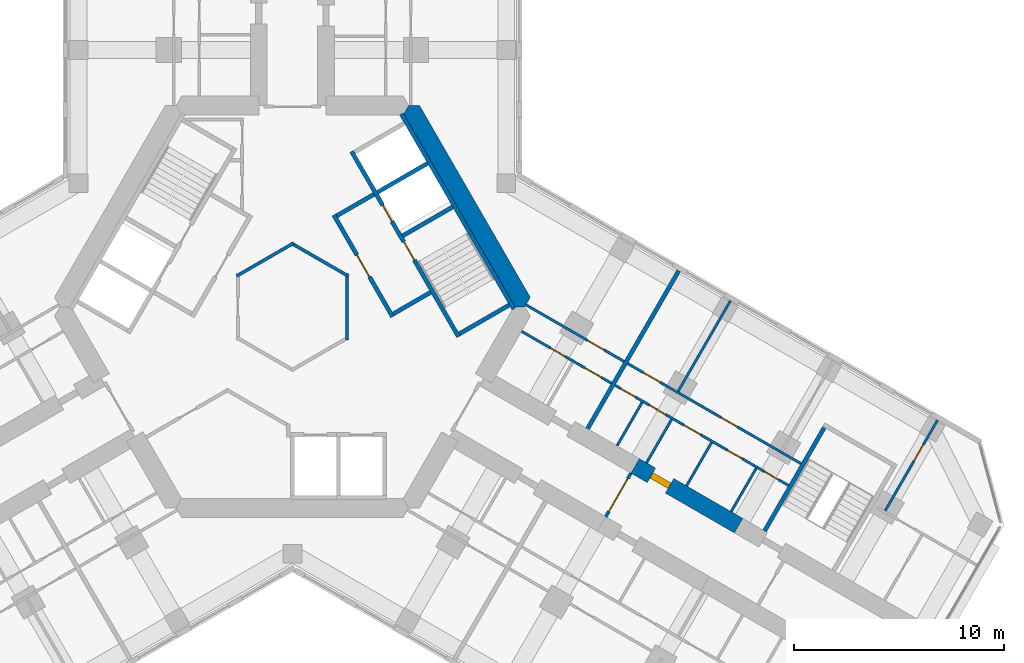
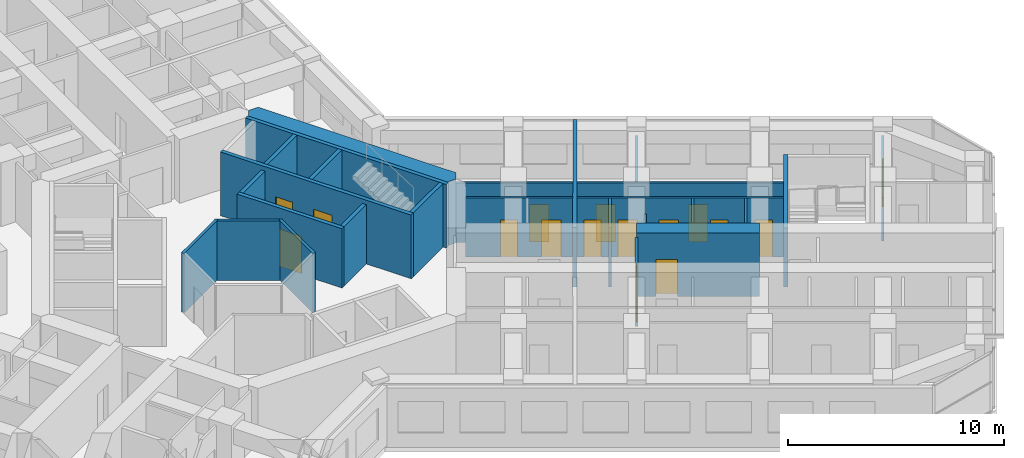
# One storey, part 15 of 19: 26 walls, 16 doors, 16 openings.
"""IFC4 building model written with IfcOpenShell, lengths in metres."""

from ifc_helpers import new_model, si_unit, direction, frame, frame_2d, origin, place, context, subcontext, project, spatial, polyline, rectangle, outline, extrude, material, layer, layer_set, type_object, element, fill, save


model = new_model("IFC4")

# Units and contexts
model_context = context("Model", 3, precision=1e-05, world=origin(), true_north=direction((0.0, 1.0)))
body_context = subcontext(model_context, "Body", "Model", "MODEL_VIEW")
ifc_project = project(units=[si_unit("LENGTHUNIT", "METRE"), si_unit("AREAUNIT", "SQUARE_METRE"), si_unit("VOLUMEUNIT", "CUBIC_METRE"), si_unit("PLANEANGLEUNIT", "RADIAN"), si_unit("MASSUNIT", "GRAM", prefix="KILO")], contexts=[model_context])

# Site, building, storey
site_placement = place(None, origin())
site = spatial("IfcSite", under=ifc_project, at=site_placement, CompositionType="ELEMENT")
building_placement = place(site_placement, origin())
building = spatial("IfcBuilding", under=site, at=building_placement, Name="Kosmar Iwan School Tower", CompositionType="ELEMENT")
storey_placement = place(building_placement, frame((0.0, 0.0, 149.0)))
storey = spatial("IfcBuildingStorey", under=building, at=storey_placement, Name="L37", CompositionType="ELEMENT", Elevation=149.0)

# Walls
ifc_material_1 = material(Name="Gypsum board on steel studs, fire-rated", Category="steel")
ifc_layer_1 = layer(ifc_material_1, 0.14990234375)
ifc_layer_set_1 = layer_set([ifc_layer_1], Name="Core room partition 150")
wall_type_1 = type_object("IfcWallType", Name="Core room partition 150", PredefinedType="PARTITIONING", material=ifc_layer_set_1)
for number, where, z_axis, x_axis, name in (
    (1, (-2.6650390625, 1.463623046875, 0.0), (0.0, 0.0, 1.0), (0.866023080072, 0.500004024767, 0.0), "Core room partition L37-CW11"),
    (2, (-0.06494140625, 3.039794921875, 0.0), (0.0, 0.0, 1.0), (0.866023080072, -0.500004024767, 0.0), "Core room partition L37-CW12"),
    (3, (2.60009765625, 1.576171875, 0.0), (0.0, 0.0, 1.0), (0.0, -1.0, 0.0), "Core room partition L37-CW13"),
):
    element("IfcWall", number, at=place(storey_placement, frame(where, z_axis=z_axis, x_axis=x_axis)), inside=storey, type_object=wall_type_1, Name=name, PredefinedType="PARTITIONING", context=body_context, shape_type="SweptSolid", body=[
        extrude(rectangle(XDim=3.15234375, YDim=0.14990234375, at=frame_2d((1.576171875, 0.0))), origin(), (0.0, 0.0, 1.0), 3.35009765625),
    ])
ifc_material_2 = material(Name="Concrete C50/60", Category="concrete")
ifc_layer_2 = layer(ifc_material_2, 0.89990234375)
ifc_layer_set_2 = layer_set([ifc_layer_2], Name="Core wall 900")
wall_type_2 = type_object("IfcWallType", Name="Core wall 900", PredefinedType="SHEAR", material=ifc_layer_set_2)
wall_1_placement = place(storey_placement, origin())
element("IfcWall", 4, at=wall_1_placement, inside=storey, type_object=wall_type_2, Name="Core wall F030", PredefinedType="SHEAR", context=body_context, shape_type="SweptSolid", body=[
    extrude(outline(polyline([(10.5654296875, 0.0), (11.085205078125, 0.0), (11.344970703125, 0.449951171875), (6.062255859375, 9.60009765625), (5.54248046875, 9.60009765625), (5.28271484375, 9.14990234375), (10.5654296875, 0.0)])), origin(), (0.0, 0.0, 1.0), 3.60009765625),
])

# Wall, opening, door
ifc_material_3 = material(Name="Concrete C50/60", Category="concrete")
ifc_layer_3 = layer(ifc_material_3, 0.800048828125)
ifc_layer_set_3 = layer_set([ifc_layer_3], Name="Corridor buttress wall 800")
wall_type_3 = type_object("IfcWallType", Name="Corridor buttress wall 800", PredefinedType="SHEAR", material=ifc_layer_set_3)
wall_2_placement = place(storey_placement, frame((16.34521484375, -7.58935546875, 0.0), z_axis=(0.0, 0.0, 1.0), x_axis=(0.866015111908, -0.50001782563, 0.0)))
wall_2 = element("IfcWall", 5, at=wall_2_placement, inside=storey, type_object=wall_type_3, Name="Corridor wall CL bay 2", PredefinedType="SHEAR", context=body_context, shape_type="SweptSolid", body=[
    extrude(rectangle(XDim=5.699951171875, YDim=0.800048828125, at=frame_2d((2.85009765625, 0.0))), origin(), (0.0, 0.0, 1.0), 3.60009765625),
])
opening_1_placement = place(wall_2_placement, frame((0.89990234375, 0.0, 0.0)))
opening_1 = element("IfcOpeningElement", 6, at=opening_1_placement, cuts=wall_2, Name="Opening D1", PredefinedType="OPENING", context=body_context, shape_type="SweptSolid", body=[
    extrude(rectangle(XDim=1.0, YDim=2.10009765625, at=frame_2d((0.5, 1.050048828125))), frame((0.0, 0.412109375, 0.0), z_axis=(0.0, -1.0, 0.0), x_axis=(1.0, 0.0, 0.0)), (0.0, 0.0, 1.0), 0.823974609375),
])
ifc_material_4 = material(Name="Timber fire door in steel frame", Category="steel")
door_type_1 = type_object("IfcDoorType", Name="Flat entrance door 1000x2100", OperationType="SINGLE_SWING_LEFT", PredefinedType="DOOR", material=ifc_material_4)
door_1_placement = place(opening_1_placement, origin())
door_1 = element("IfcDoor", 7, at=door_1_placement, inside=storey, type_object=door_type_1, Name="Flat L37-CL2 entrance door", OperationType="SINGLE_SWING_LEFT", OverallHeight=2.10009765625, OverallWidth=1.0, PredefinedType="DOOR", context=body_context, shape_type="SweptSolid", body=[
    extrude(rectangle(XDim=1.0, YDim=2.10009765625, at=frame_2d((0.5, 1.050048828125))), frame((0.0, 0.14990234375, 0.0), z_axis=(0.0, -1.0, 0.0), x_axis=(1.0, 0.0, 0.0)), (0.0, 0.0, 1.0), 0.300048828125),
])
fill(opening_1, door_1)

ifc_material_5 = material(Name="Gypsum board on steel studs, fire-rated", Category="steel")
ifc_layer_4 = layer(ifc_material_5, 0.14990234375)
ifc_layer_set_4 = layer_set([ifc_layer_4], Name="Corridor end wall 150")
wall_type_4 = type_object("IfcWallType", Name="Corridor end wall 150", PredefinedType="PARTITIONING", material=ifc_layer_set_4)
wall_3_placement = place(storey_placement, frame((14.945068359375, -10.01416015625, 0.0), z_axis=(0.0, 0.0, 1.0), x_axis=(0.500077600433, 0.865980596518, 0.0)))
wall_3 = element("IfcWall", 8, at=wall_3_placement, inside=storey, type_object=wall_type_4, Name="Partition L37-C-HW", PredefinedType="PARTITIONING", context=body_context, shape_type="SweptSolid", body=[
    extrude(rectangle(XDim=2.39990234375, YDim=0.14990234375, at=frame_2d((1.199951171875, 0.0))), origin(), (0.0, 0.0, 1.0), 3.35009765625),
])
opening_2_placement = place(wall_3_placement, frame((0.300048828125, 0.0, 0.0)))
opening_2 = element("IfcOpeningElement", 9, at=opening_2_placement, cuts=wall_3, Name="Opening D9", PredefinedType="OPENING", context=body_context, shape_type="SweptSolid", body=[
    extrude(rectangle(XDim=1.800048828125, YDim=2.10009765625, at=frame_2d((0.89990234375, 1.050048828125))), frame((0.0, 0.0869140625, 0.0), z_axis=(0.0, -1.0, 0.0), x_axis=(1.0, 0.0, 0.0)), (0.0, 0.0, 1.0), 0.173828125),
])
ifc_material_6 = material(Name="Steel framed glazed smoke door", Category="steel")
door_type_2 = type_object("IfcDoorType", Name="Corridor smoke door pair 1800x2100", OperationType="DOUBLE_DOOR_DOUBLE_SWING", PredefinedType="DOOR", material=ifc_material_6)
door_2_placement = place(opening_2_placement, origin())
door_2 = element("IfcDoor", 10, at=door_2_placement, inside=storey, type_object=door_type_2, Name="Hashti vestibule smoke doors L37-C", OperationType="DOUBLE_DOOR_DOUBLE_SWING", OverallHeight=2.10009765625, OverallWidth=1.800048828125, PredefinedType="DOOR", context=body_context, shape_type="SweptSolid", body=[
    extrude(rectangle(XDim=1.800048828125, YDim=2.10009765625, at=frame_2d((0.89990234375, 1.050048828125))), frame((0.0, 0.02490234375, 0.0), z_axis=(0.0, -1.0, 0.0), x_axis=(1.0, 0.0, 0.0)), (0.0, 0.0, 1.0), 0.050048828125),
])
fill(opening_2, door_2)

# Wall, openings, doors
ifc_material_7 = material(Name="Gypsum board on steel studs", Category="steel")
ifc_layer_5 = layer(ifc_material_7, 0.1201171875)
ifc_layer_set_5 = layer_set([ifc_layer_5], Name="Dwelling partition 120")
wall_type_5 = type_object("IfcWallType", Name="Dwelling partition 120", PredefinedType="PARTITIONING", material=ifc_layer_set_5)
wall_4_placement = place(storey_placement, frame((10.928466796875, -1.171142578125, 0.0), z_axis=(0.0, 0.0, 1.0), x_axis=(0.866018855338, -0.500011342071, 0.0)))
wall_4 = element("IfcWall", 11, at=wall_4_placement, inside=storey, type_object=wall_type_5, Name="Partition L37-CL1-W1", PredefinedType="PARTITIONING", context=body_context, shape_type="SweptSolid", body=[
    extrude(rectangle(XDim=4.9501953125, YDim=0.1201171875, at=frame_2d((2.47509765625, 0.0))), origin(), (0.0, 0.0, 1.0), 3.35009765625),
])
opening_3_placement = place(wall_4_placement, frame((1.60009765625, 0.0, 0.0)))
opening_3 = element("IfcOpeningElement", 12, at=opening_3_placement, cuts=wall_4, Name="Opening D3", PredefinedType="OPENING", context=body_context, shape_type="SweptSolid", body=[
    extrude(rectangle(XDim=0.800048828125, YDim=2.10009765625, at=frame_2d((0.39990234375, 1.050048828125))), frame((0.0, 0.072021484375, 0.0), z_axis=(0.0, -1.0, 0.0), x_axis=(1.0, 0.0, 0.0)), (0.0, 0.0, 1.0), 0.14404296875),
])
opening_4_placement = place(wall_4_placement, frame((3.5, 0.0, 0.0)))
opening_4 = element("IfcOpeningElement", 13, at=opening_4_placement, cuts=wall_4, Name="Opening D2", PredefinedType="OPENING", context=body_context, shape_type="SweptSolid", body=[
    extrude(rectangle(XDim=0.89990234375, YDim=2.10009765625, at=frame_2d((0.449951171875, 1.050048828125))), frame((0.0, 0.072021484375, 0.0), z_axis=(0.0, -1.0, 0.0), x_axis=(1.0, 0.0, 0.0)), (0.0, 0.0, 1.0), 0.14404296875),
])
ifc_material_8 = material(Name="Timber door in timber frame", Category="wood")
door_type_3 = type_object("IfcDoorType", Name="Internal door 900x2100", OperationType="SINGLE_SWING_LEFT", PredefinedType="DOOR", material=ifc_material_8)
door_3_placement = place(opening_4_placement, origin())
door_3 = element("IfcDoor", 14, at=door_3_placement, inside=storey, type_object=door_type_3, Name="Entrance hall door L37-CL1-S2", OperationType="SINGLE_SWING_RIGHT", OverallHeight=2.10009765625, OverallWidth=0.89990234375, PredefinedType="DOOR", context=body_context, shape_type="SweptSolid", body=[
    extrude(rectangle(XDim=0.89990234375, YDim=2.10009765625, at=frame_2d((0.449951171875, 1.050048828125))), frame((0.0, 0.02490234375, 0.0), z_axis=(0.0, -1.0, 0.0), x_axis=(1.0, 0.0, 0.0)), (0.0, 0.0, 1.0), 0.050048828125),
])
fill(opening_4, door_3)
ifc_material_9 = material(Name="Timber door in timber frame", Category="wood")
door_type_4 = type_object("IfcDoorType", Name="Sanitary room door 800x2100", OperationType="SINGLE_SWING_LEFT", PredefinedType="DOOR", material=ifc_material_9)
door_4_placement = place(opening_3_placement, origin())
door_4 = element("IfcDoor", 15, at=door_4_placement, inside=storey, type_object=door_type_4, Name="Bathroom door L37-CL1-S1", OperationType="SINGLE_SWING_LEFT", OverallHeight=2.10009765625, OverallWidth=0.800048828125, PredefinedType="DOOR", context=body_context, shape_type="SweptSolid", body=[
    extrude(rectangle(XDim=0.800048828125, YDim=2.10009765625, at=frame_2d((0.39990234375, 1.050048828125))), frame((0.0, 0.02490234375, 0.0), z_axis=(0.0, -1.0, 0.0), x_axis=(1.0, 0.0, 0.0)), (0.0, 0.0, 1.0), 0.050048828125),
])
fill(opening_3, door_4)

# Wall, opening, door
wall_5_placement = place(storey_placement, frame((11.138916015625, 0.093017578125, 0.0), z_axis=(0.0, 0.0, 1.0), x_axis=(0.866028230842, -0.499995103361, 0.0)))
wall_5 = element("IfcWall", 16, at=wall_5_placement, inside=storey, type_object=wall_type_5, Name="Partition L37-CL1-W2", PredefinedType="PARTITIONING", context=body_context, shape_type="SweptSolid", body=[
    extrude(rectangle(XDim=5.39990234375, YDim=0.1201171875, at=frame_2d((2.699951171875, 0.0))), origin(), (0.0, 0.0, 1.0), 3.35009765625),
])
opening_5_placement = place(wall_5_placement, frame((3.39990234375, 0.0, 0.0)))
opening_5 = element("IfcOpeningElement", 17, at=opening_5_placement, cuts=wall_5, Name="Opening D2", PredefinedType="OPENING", context=body_context, shape_type="SweptSolid", body=[
    extrude(rectangle(XDim=0.89990234375, YDim=2.10009765625, at=frame_2d((0.449951171875, 1.050048828125))), frame((0.0, 0.072021484375, 0.0), z_axis=(0.0, -1.0, 0.0), x_axis=(1.0, 0.0, 0.0)), (0.0, 0.0, 1.0), 0.14404296875),
])
door_5_placement = place(opening_5_placement, origin())
door_5 = element("IfcDoor", 18, at=door_5_placement, inside=storey, type_object=door_type_3, Name="Studio living room and kitchen door L37-CL1-F1", OperationType="SINGLE_SWING_RIGHT", OverallHeight=2.10009765625, OverallWidth=0.89990234375, PredefinedType="DOOR", context=body_context, shape_type="SweptSolid", body=[
    extrude(rectangle(XDim=0.89990234375, YDim=2.10009765625, at=frame_2d((0.449951171875, 1.050048828125))), frame((0.0, 0.02490234375, 0.0), z_axis=(0.0, -1.0, 0.0), x_axis=(1.0, 0.0, 0.0)), (0.0, 0.0, 1.0), 0.050048828125),
])
fill(opening_5, door_5)

# Wall, openings, doors
wall_6_placement = place(storey_placement, frame((15.388671875, -3.74609375, 0.0), z_axis=(0.0, 0.0, 1.0), x_axis=(0.866017851049, -0.500013081493, 0.0)))
wall_6 = element("IfcWall", 19, at=wall_6_placement, inside=storey, type_object=wall_type_5, Name="Partition L37-CL2-W1", PredefinedType="PARTITIONING", context=body_context, shape_type="SweptSolid", body=[
    extrude(rectangle(XDim=9.550048828125, YDim=0.1201171875, at=frame_2d((4.77490234375, 0.0))), origin(), (0.0, 0.0, 1.0), 3.35009765625),
])
opening_6_placement = place(wall_6_placement, frame((0.3125, 0.0, 0.0)))
opening_6 = element("IfcOpeningElement", 20, at=opening_6_placement, cuts=wall_6, Name="Opening D3", PredefinedType="OPENING", context=body_context, shape_type="SweptSolid", body=[
    extrude(rectangle(XDim=0.800048828125, YDim=2.10009765625, at=frame_2d((0.39990234375, 1.050048828125))), frame((0.0, 0.072021484375, 0.0), z_axis=(0.0, -1.0, 0.0), x_axis=(1.0, 0.0, 0.0)), (0.0, 0.0, 1.0), 0.14404296875),
])
opening_7_placement = place(wall_6_placement, frame((1.887451171875, 0.0, 0.0)))
opening_7 = element("IfcOpeningElement", 21, at=opening_7_placement, cuts=wall_6, Name="Opening D2", PredefinedType="OPENING", context=body_context, shape_type="SweptSolid", body=[
    extrude(rectangle(XDim=0.89990234375, YDim=2.10009765625, at=frame_2d((0.449951171875, 1.050048828125))), frame((0.0, 0.072021484375, 0.0), z_axis=(0.0, -1.0, 0.0), x_axis=(1.0, 0.0, 0.0)), (0.0, 0.0, 1.0), 0.14404296875),
])
opening_8_placement = place(wall_6_placement, frame((3.800048828125, 0.0, 0.0)))
opening_8 = element("IfcOpeningElement", 22, at=opening_8_placement, cuts=wall_6, Name="Opening D2", PredefinedType="OPENING", context=body_context, shape_type="SweptSolid", body=[
    extrude(rectangle(XDim=0.89990234375, YDim=2.10009765625, at=frame_2d((0.449951171875, 1.050048828125))), frame((0.0, 0.072021484375, 0.0), z_axis=(0.0, -1.0, 0.0), x_axis=(1.0, 0.0, 0.0)), (0.0, 0.0, 1.0), 0.14404296875),
])
opening_9_placement = place(wall_6_placement, frame((6.179931640625, 0.0, 0.0)))
opening_9 = element("IfcOpeningElement", 23, at=opening_9_placement, cuts=wall_6, Name="Opening D3", PredefinedType="OPENING", context=body_context, shape_type="SweptSolid", body=[
    extrude(rectangle(XDim=0.800048828125, YDim=2.10009765625, at=frame_2d((0.39990234375, 1.050048828125))), frame((0.0, 0.072021484375, 0.0), z_axis=(0.0, -1.0, 0.0), x_axis=(1.0, 0.0, 0.0)), (0.0, 0.0, 1.0), 0.14404296875),
])
opening_10_placement = place(wall_6_placement, frame((8.22998046875, 0.0, 0.0)))
opening_10 = element("IfcOpeningElement", 24, at=opening_10_placement, cuts=wall_6, Name="Opening D3", PredefinedType="OPENING", context=body_context, shape_type="SweptSolid", body=[
    extrude(rectangle(XDim=0.800048828125, YDim=2.10009765625, at=frame_2d((0.39990234375, 1.050048828125))), frame((0.0, 0.072021484375, 0.0), z_axis=(0.0, -1.0, 0.0), x_axis=(1.0, 0.0, 0.0)), (0.0, 0.0, 1.0), 0.14404296875),
])
door_6_placement = place(opening_7_placement, frame((0.89990234375, 0.0, 0.0), z_axis=(0.0, 0.0, 1.0), x_axis=(-1.0, 0.0, 0.0)))
door_6 = element("IfcDoor", 25, at=door_6_placement, inside=storey, type_object=door_type_3, Name="Pantry door L37-CL2-S2", OperationType="SINGLE_SWING_RIGHT", OverallHeight=2.10009765625, OverallWidth=0.89990234375, PredefinedType="DOOR", context=body_context, shape_type="SweptSolid", body=[
    extrude(rectangle(XDim=0.89990234375, YDim=2.10009765625, at=frame_2d((0.449951171875, 1.050048828125))), frame((0.0, 0.02490234375, 0.0), z_axis=(0.0, -1.0, 0.0), x_axis=(1.0, 0.0, 0.0)), (0.0, 0.0, 1.0), 0.050048828125),
])
fill(opening_7, door_6)
door_7_placement = place(opening_8_placement, origin())
door_7 = element("IfcDoor", 26, at=door_7_placement, inside=storey, type_object=door_type_3, Name="Entrance hall door L37-CL2-S3", OperationType="SINGLE_SWING_LEFT", OverallHeight=2.10009765625, OverallWidth=0.89990234375, PredefinedType="DOOR", context=body_context, shape_type="SweptSolid", body=[
    extrude(rectangle(XDim=0.89990234375, YDim=2.10009765625, at=frame_2d((0.449951171875, 1.050048828125))), frame((0.0, 0.02490234375, 0.0), z_axis=(0.0, -1.0, 0.0), x_axis=(1.0, 0.0, 0.0)), (0.0, 0.0, 1.0), 0.050048828125),
])
fill(opening_8, door_7)
door_8_placement = place(opening_6_placement, origin())
door_8 = element("IfcDoor", 27, at=door_8_placement, inside=storey, type_object=door_type_4, Name="Store door L37-CL2-S1", OperationType="SINGLE_SWING_LEFT", OverallHeight=2.10009765625, OverallWidth=0.800048828125, PredefinedType="DOOR", context=body_context, shape_type="SweptSolid", body=[
    extrude(rectangle(XDim=0.800048828125, YDim=2.10009765625, at=frame_2d((0.39990234375, 1.050048828125))), frame((0.0, 0.02490234375, 0.0), z_axis=(0.0, -1.0, 0.0), x_axis=(1.0, 0.0, 0.0)), (0.0, 0.0, 1.0), 0.050048828125),
])
fill(opening_6, door_8)
door_9_placement = place(opening_9_placement, origin())
door_9 = element("IfcDoor", 28, at=door_9_placement, inside=storey, type_object=door_type_4, Name="Bathroom door L37-CL2-S4", OperationType="SINGLE_SWING_RIGHT", OverallHeight=2.10009765625, OverallWidth=0.800048828125, PredefinedType="DOOR", context=body_context, shape_type="SweptSolid", body=[
    extrude(rectangle(XDim=0.800048828125, YDim=2.10009765625, at=frame_2d((0.39990234375, 1.050048828125))), frame((0.0, 0.02490234375, 0.0), z_axis=(0.0, -1.0, 0.0), x_axis=(1.0, 0.0, 0.0)), (0.0, 0.0, 1.0), 0.050048828125),
])
fill(opening_9, door_9)
door_10_placement = place(opening_10_placement, origin())
door_10 = element("IfcDoor", 29, at=door_10_placement, inside=storey, type_object=door_type_4, Name="WC door L37-CL2-S5", OperationType="SINGLE_SWING_RIGHT", OverallHeight=2.10009765625, OverallWidth=0.800048828125, PredefinedType="DOOR", context=body_context, shape_type="SweptSolid", body=[
    extrude(rectangle(XDim=0.800048828125, YDim=2.10009765625, at=frame_2d((0.39990234375, 1.050048828125))), frame((0.0, 0.02490234375, 0.0), z_axis=(0.0, -1.0, 0.0), x_axis=(1.0, 0.0, 0.0)), (0.0, 0.0, 1.0), 0.050048828125),
])
fill(opening_10, door_10)

wall_7_placement = place(storey_placement, frame((15.988525390625, -2.70703125, 0.0), z_axis=(0.0, 0.0, 1.0), x_axis=(0.866028920859, -0.499993908199, 0.0)))
wall_7 = element("IfcWall", 30, at=wall_7_placement, inside=storey, type_object=wall_type_5, Name="Partition L37-CL2-W2", PredefinedType="PARTITIONING", context=body_context, shape_type="SweptSolid", body=[
    extrude(rectangle(XDim=9.5498046875, YDim=0.1201171875, at=frame_2d((4.77490234375, 0.0))), origin(), (0.0, 0.0, 1.0), 3.35009765625),
])
opening_11_placement = place(wall_7_placement, frame((0.875, 0.0, 0.0)))
opening_11 = element("IfcOpeningElement", 31, at=opening_11_placement, cuts=wall_7, Name="Opening D2", PredefinedType="OPENING", context=body_context, shape_type="SweptSolid", body=[
    extrude(rectangle(XDim=0.89990234375, YDim=2.10009765625, at=frame_2d((0.449951171875, 1.050048828125))), frame((0.0, 0.072021484375, 0.0), z_axis=(0.0, -1.0, 0.0), x_axis=(1.0, 0.0, 0.0)), (0.0, 0.0, 1.0), 0.14404296875),
])
opening_12_placement = place(wall_7_placement, frame((5.14990234375, 0.0, 0.0)))
opening_12 = element("IfcOpeningElement", 32, at=opening_12_placement, cuts=wall_7, Name="Opening D2", PredefinedType="OPENING", context=body_context, shape_type="SweptSolid", body=[
    extrude(rectangle(XDim=0.89990234375, YDim=2.10009765625, at=frame_2d((0.449951171875, 1.050048828125))), frame((0.0, 0.072021484375, 0.0), z_axis=(0.0, -1.0, 0.0), x_axis=(1.0, 0.0, 0.0)), (0.0, 0.0, 1.0), 0.14404296875),
])
door_11_placement = place(opening_11_placement, origin())
door_11 = element("IfcDoor", 33, at=door_11_placement, inside=storey, type_object=door_type_3, Name="Bedroom 1 door L37-CL2-F1", OperationType="SINGLE_SWING_RIGHT", OverallHeight=2.10009765625, OverallWidth=0.89990234375, PredefinedType="DOOR", context=body_context, shape_type="SweptSolid", body=[
    extrude(rectangle(XDim=0.89990234375, YDim=2.10009765625, at=frame_2d((0.449951171875, 1.050048828125))), frame((0.0, 0.02490234375, 0.0), z_axis=(0.0, -1.0, 0.0), x_axis=(1.0, 0.0, 0.0)), (0.0, 0.0, 1.0), 0.050048828125),
])
fill(opening_11, door_11)
door_12_placement = place(opening_12_placement, origin())
door_12 = element("IfcDoor", 34, at=door_12_placement, inside=storey, type_object=door_type_3, Name="Family room and kitchen door L37-CL2-F2", OperationType="SINGLE_SWING_LEFT", OverallHeight=2.10009765625, OverallWidth=0.89990234375, PredefinedType="DOOR", context=body_context, shape_type="SweptSolid", body=[
    extrude(rectangle(XDim=0.89990234375, YDim=2.10009765625, at=frame_2d((0.449951171875, 1.050048828125))), frame((0.0, 0.02490234375, 0.0), z_axis=(0.0, -1.0, 0.0), x_axis=(1.0, 0.0, 0.0)), (0.0, 0.0, 1.0), 0.050048828125),
])
fill(opening_12, door_12)

# Walls
wall_8_placement = place(storey_placement, frame((18.400146484375, -4.030029296875, 0.0), z_axis=(0.0, 0.0, 1.0), x_axis=(0.500011847778, 0.866018563358, 0.0)))
element("IfcWall", 35, at=wall_8_placement, inside=storey, type_object=wall_type_5, Name="Partition L37-CL2-X1", PredefinedType="PARTITIONING", context=body_context, shape_type="SweptSolid", body=[
    extrude(rectangle(XDim=4.990234375, YDim=0.1201171875, at=frame_2d((2.4951171875, 0.0))), origin(), (0.0, 0.0, 1.0), 2.449951171875),
])
wall_9_placement = place(storey_placement, frame((15.484375, -6.63037109375, 0.0), z_axis=(0.0, 0.0, 1.0), x_axis=(0.499940577336, 0.866059708757, 0.0)))
element("IfcWall", 36, at=wall_9_placement, inside=storey, type_object=wall_type_5, Name="Partition L37-CL2-Y1", PredefinedType="PARTITIONING", context=body_context, shape_type="SweptSolid", body=[
    extrude(rectangle(XDim=2.389892578125, YDim=0.1201171875, at=frame_2d((1.19482421875, 0.0))), origin(), (0.0, 0.0, 1.0), 3.35009765625),
])
wall_10_placement = place(storey_placement, frame((16.8916015625, -7.44287109375, 0.0), z_axis=(0.0, 0.0, 1.0), x_axis=(0.500017192868, 0.86601547725, 0.0)))
element("IfcWall", 37, at=wall_10_placement, inside=storey, type_object=wall_type_5, Name="Partition L37-CL2-Y2", PredefinedType="PARTITIONING", context=body_context, shape_type="SweptSolid", body=[
    extrude(rectangle(XDim=2.39013671875, YDim=0.1201171875, at=frame_2d((1.195068359375, 0.0))), origin(), (0.0, 0.0, 1.0), 2.449951171875),
])
for number, where, z_axis, x_axis, name in (
    (38, (18.796875, -8.54296875, 0.0), (0.0, 0.0, 1.0), (0.500017192868, 0.86601547725, 0.0), "Partition L37-CL2-Y3"),
    (39, (20.92724609375, -9.77294921875, 0.0), (0.0, 0.0, 1.0), (0.500017192868, 0.86601547725, 0.0), "Partition L37-CL2-Y4"),
):
    element("IfcWall", number, at=place(storey_placement, frame(where, z_axis=z_axis, x_axis=x_axis)), inside=storey, type_object=wall_type_5, Name=name, PredefinedType="PARTITIONING", context=body_context, shape_type="SweptSolid", body=[
        extrude(rectangle(XDim=2.39013671875, YDim=0.1201171875, at=frame_2d((1.195068359375, 0.0))), origin(), (0.0, 0.0, 1.0), 3.35009765625),
    ])

# Wall, opening, door
wall_11_placement = place(storey_placement, frame((28.27294921875, -9.72998046875, 0.0), z_axis=(0.0, 0.0, 1.0), x_axis=(0.499975153383, 0.86603974851, 0.0)))
wall_11 = element("IfcWall", 40, at=wall_11_placement, inside=storey, type_object=wall_type_5, Name="Partition L37-CL2-TX", PredefinedType="PARTITIONING", context=body_context, shape_type="SweptSolid", body=[
    extrude(rectangle(XDim=4.989990234375, YDim=0.1201171875, at=frame_2d((2.4951171875, 0.0))), origin(), (0.0, 0.0, 1.0), 2.449951171875),
])
opening_13_placement = place(wall_11_placement, frame((2.739990234375, 0.0, 0.0)))
opening_13 = element("IfcOpeningElement", 41, at=opening_13_placement, cuts=wall_11, Name="Opening D2", PredefinedType="OPENING", context=body_context, shape_type="SweptSolid", body=[
    extrude(rectangle(XDim=0.89990234375, YDim=2.10009765625, at=frame_2d((0.449951171875, 1.050048828125))), frame((0.0, 0.072021484375, 0.0), z_axis=(0.0, -1.0, 0.0), x_axis=(1.0, 0.0, 0.0)), (0.0, 0.0, 1.0), 0.14404296875),
])
door_13_placement = place(opening_13_placement, origin())
door_13 = element("IfcDoor", 42, at=door_13_placement, inside=storey, type_object=door_type_3, Name="Study door L37-CL2-T1", OperationType="SINGLE_SWING_RIGHT", OverallHeight=2.10009765625, OverallWidth=0.89990234375, PredefinedType="DOOR", context=body_context, shape_type="SweptSolid", body=[
    extrude(rectangle(XDim=0.89990234375, YDim=2.10009765625, at=frame_2d((0.449951171875, 1.050048828125))), frame((0.0, 0.02490234375, 0.0), z_axis=(0.0, -1.0, 0.0), x_axis=(1.0, 0.0, 0.0)), (0.0, 0.0, 1.0), 0.050048828125),
])
fill(opening_13, door_13)

# Wall
ifc_material_10 = material(Name="Concrete C35/45", Category="concrete")
ifc_layer_6 = layer(ifc_material_10, 0.199951171875)
ifc_layer_set_6 = layer_set([ifc_layer_6], Name="Escape stair wall 200")
wall_type_6 = type_object("IfcWallType", Name="Escape stair wall 200", PredefinedType="SHEAR", material=ifc_layer_set_6)
wall_12_placement = place(storey_placement, frame((22.520751953125, -10.69287109375, 0.0), z_axis=(0.0, 0.0, 1.0), x_axis=(0.500006628179, 0.86602157697, 0.0)))
element("IfcWall", 43, at=wall_12_placement, inside=storey, type_object=wall_type_6, Name="Stair WS3 wall", PredefinedType="SHEAR", context=body_context, shape_type="SweptSolid", body=[
    extrude(rectangle(XDim=5.89990234375, YDim=0.199951171875, at=frame_2d((2.949951171875, 0.0))), origin(), (0.0, 0.0, 1.0), 3.330078125),
])

# Wall, opening, door
ifc_material_11 = material(Name="Concrete block masonry", Category="masonry")
ifc_layer_7 = layer(ifc_material_11, 0.199951171875)
ifc_layer_set_7 = layer_set([ifc_layer_7], Name="Fire lobby wall 200")
wall_type_7 = type_object("IfcWallType", Name="Fire lobby wall 200", PredefinedType="PARTITIONING", material=ifc_layer_set_7)
wall_13_placement = place(storey_placement, frame((4.777587890625, -0.474853515625, 0.0), z_axis=(0.0, 0.0, 1.0), x_axis=(-0.500016814911, 0.866015695474, 0.0)))
wall_13 = element("IfcWall", 44, at=wall_13_placement, inside=storey, type_object=wall_type_7, Name="Firefighting lobby wall ST1", PredefinedType="PARTITIONING", context=body_context, shape_type="SweptSolid", body=[
    extrude(rectangle(XDim=5.599853515625, YDim=0.199951171875, at=frame_2d((2.7998046875, 0.0))), origin(), (0.0, 0.0, 1.0), 3.35009765625),
])
opening_14_placement = place(wall_13_placement, frame((2.199951171875, 0.0, 0.0)))
opening_14 = element("IfcOpeningElement", 45, at=opening_14_placement, cuts=wall_13, Name="Opening D7", PredefinedType="OPENING", context=body_context, shape_type="SweptSolid", body=[
    extrude(rectangle(XDim=1.199951171875, YDim=2.10009765625, at=frame_2d((0.60009765625, 1.050048828125))), frame((0.0, 0.112060546875, 0.0), z_axis=(0.0, -1.0, 0.0), x_axis=(1.0, 0.0, 0.0)), (0.0, 0.0, 1.0), 0.223876953125),
])
ifc_material_12 = material(Name="Steel fire door", Category="steel")
door_type_5 = type_object("IfcDoorType", Name="Fire lobby door 1200x2100", OperationType="SINGLE_SWING_LEFT", PredefinedType="DOOR", material=ifc_material_12)
door_14_placement = place(opening_14_placement, frame((1.199951171875, 0.0, 0.0), z_axis=(0.0, 0.0, 1.0), x_axis=(-1.0, 0.0, 0.0)))
door_14 = element("IfcDoor", 46, at=door_14_placement, inside=storey, type_object=door_type_5, Name="Firefighting lobby door ST1 L37", OperationType="SINGLE_SWING_RIGHT", OverallHeight=2.10009765625, OverallWidth=1.199951171875, PredefinedType="DOOR", context=body_context, shape_type="SweptSolid", body=[
    extrude(rectangle(XDim=1.199951171875, YDim=2.10009765625, at=frame_2d((0.60009765625, 1.050048828125))), frame((0.0, 0.02490234375, 0.0), z_axis=(0.0, -1.0, 0.0), x_axis=(1.0, 0.0, 0.0)), (0.0, 0.0, 1.0), 0.050048828125),
])
fill(opening_14, door_14)

# Walls
wall_14_placement = place(storey_placement, frame((4.814208984375, -0.33837890625, 0.0), z_axis=(0.0, 0.0, 1.0), x_axis=(0.865969381856, 0.500097020274, 0.0)))
element("IfcWall", 47, at=wall_14_placement, inside=storey, type_object=wall_type_7, Name="Firefighting lobby wall ST1", PredefinedType="PARTITIONING", context=body_context, shape_type="SweptSolid", body=[
    extrude(rectangle(XDim=2.0498046875, YDim=0.199951171875, at=frame_2d((1.02490234375, 0.0))), origin(), (0.0, 0.0, 1.0), 3.35009765625),
])
wall_15_placement = place(storey_placement, frame((2.114013671875, 4.33837890625, 0.0), z_axis=(0.0, 0.0, 1.0), x_axis=(0.866050731258, 0.499956128963, 0.0)))
element("IfcWall", 48, at=wall_15_placement, inside=storey, type_object=wall_type_7, Name="Firefighting lobby wall ST1", PredefinedType="PARTITIONING", context=body_context, shape_type="SweptSolid", body=[
    extrude(rectangle(XDim=2.050048828125, YDim=0.199951171875, at=frame_2d((1.02490234375, 0.0))), origin(), (0.0, 0.0, 1.0), 3.35009765625),
])

# Wall, openings, doors
ifc_material_13 = material(Name="Concrete C50/60", Category="concrete")
ifc_layer_8 = layer(ifc_material_13, 0.199951171875)
ifc_layer_set_8 = layer_set([ifc_layer_8], Name="Lift shaft wall 200")
wall_type_8 = type_object("IfcWallType", Name="Lift shaft wall 200", PredefinedType="SHEAR", material=ifc_layer_set_8)
wall_16_placement = place(storey_placement, frame((7.926025390625, -1.42822265625, 0.0), z_axis=(0.0, 0.0, 1.0), x_axis=(-0.499998023675, 0.866026544813, 0.0)))
wall_16 = element("IfcWall", 49, at=wall_16_placement, inside=storey, type_object=wall_type_8, Name="Lift and stair front wall AC", PredefinedType="SHEAR", context=body_context, shape_type="SweptSolid", body=[
    extrude(rectangle(XDim=10.19970703125, YDim=0.199951171875, at=frame_2d((5.099853515625, 0.0))), origin(), (0.0, 0.0, 1.0), 3.60009765625),
])
opening_15_placement = place(wall_16_placement, frame((6.35009765625, 0.0, 0.0)))
opening_15 = element("IfcOpeningElement", 50, at=opening_15_placement, cuts=wall_16, Name="Opening LD2", PredefinedType="OPENING", context=body_context, shape_type="SweptSolid", body=[
    extrude(rectangle(XDim=0.89990234375, YDim=2.10009765625, at=frame_2d((0.449951171875, 1.050048828125))), frame((0.0, 0.112060546875, 0.0), z_axis=(0.0, -1.0, 0.0), x_axis=(1.0, 0.0, 0.0)), (0.0, 0.0, 1.0), 0.223876953125),
])
opening_16_placement = place(wall_16_placement, frame((4.22998046875, 0.0, 0.0)))
opening_16 = element("IfcOpeningElement", 51, at=opening_16_placement, cuts=wall_16, Name="Opening D6", PredefinedType="OPENING", context=body_context, shape_type="SweptSolid", body=[
    extrude(rectangle(XDim=1.0, YDim=2.10009765625, at=frame_2d((0.5, 1.050048828125))), frame((0.0, 0.112060546875, 0.0), z_axis=(0.0, -1.0, 0.0), x_axis=(1.0, 0.0, 0.0)), (0.0, 0.0, 1.0), 0.223876953125),
])
ifc_material_14 = material(Name="Stainless steel sliding lift door", Category="steel")
door_type_6 = type_object("IfcDoorType", Name="Firefighting lift landing door 900x2100", OperationType="SLIDING_TO_LEFT", PredefinedType="DOOR", material=ifc_material_14)
door_15_placement = place(opening_15_placement, origin())
door_15 = element("IfcDoor", 52, at=door_15_placement, inside=storey, type_object=door_type_6, Name="Lift FF1 landing door L37", OperationType="SLIDING_TO_LEFT", OverallHeight=2.10009765625, OverallWidth=0.89990234375, PredefinedType="DOOR", context=body_context, shape_type="SweptSolid", body=[
    extrude(rectangle(XDim=0.89990234375, YDim=2.10009765625, at=frame_2d((0.449951171875, 1.050048828125))), frame((0.0, 0.02490234375, 0.0), z_axis=(0.0, -1.0, 0.0), x_axis=(1.0, 0.0, 0.0)), (0.0, 0.0, 1.0), 0.050048828125),
])
fill(opening_15, door_15)
ifc_material_15 = material(Name="Steel fire door", Category="steel")
door_type_7 = type_object("IfcDoorType", Name="Stair door 1000x2100", OperationType="SINGLE_SWING_LEFT", PredefinedType="DOOR", material=ifc_material_15)
door_16_placement = place(opening_16_placement, origin())
door_16 = element("IfcDoor", 53, at=door_16_placement, inside=storey, type_object=door_type_7, Name="Stair ST1 door L37", OperationType="SINGLE_SWING_LEFT", OverallHeight=2.10009765625, OverallWidth=1.0, PredefinedType="DOOR", context=body_context, shape_type="SweptSolid", body=[
    extrude(rectangle(XDim=1.0, YDim=2.10009765625, at=frame_2d((0.5, 1.050048828125))), frame((0.0, 0.02490234375, 0.0), z_axis=(0.0, -1.0, 0.0), x_axis=(1.0, 0.0, 0.0)), (0.0, 0.0, 1.0), 0.050048828125),
])
fill(opening_16, door_16)

# Walls
wall_17_placement = place(storey_placement, frame((10.5654296875, -0.10009765625, 0.0), z_axis=(0.0, 0.0, 1.0), x_axis=(-0.499999935134, 0.866025441235, 0.0)))
element("IfcWall", 54, at=wall_17_placement, inside=storey, type_object=wall_type_8, Name="Lift and stair back wall AC", PredefinedType="SHEAR", context=body_context, shape_type="SweptSolid", body=[
    extrude(rectangle(XDim=10.73876953125, YDim=0.199951171875, at=frame_2d((5.369384765625, 0.0))), origin(), (0.0, 0.0, 1.0), 3.60009765625),
])
wall_18_placement = place(storey_placement, frame((4.062744140625, 5.46337890625, 0.0), z_axis=(0.0, 0.0, 1.0), x_axis=(0.866027397988, 0.499996545922, 0.0)))
element("IfcWall", 55, at=wall_18_placement, inside=storey, type_object=wall_type_8, Name="Lift shaft wall AC 1", PredefinedType="SHEAR", context=body_context, shape_type="SweptSolid", body=[
    extrude(rectangle(XDim=2.75, YDim=0.199951171875, at=frame_2d((1.375, 0.0))), origin(), (0.0, 0.0, 1.0), 3.60009765625),
])
ifc_material_16 = material(Name="Concrete block masonry", Category="masonry")
ifc_layer_9 = layer(ifc_material_16, 0.199951171875)
ifc_layer_set_9 = layer_set([ifc_layer_9], Name="Party wall 200")
wall_type_9 = type_object("IfcWallType", Name="Party wall 200", PredefinedType="PARTITIONING", material=ifc_layer_set_9)
wall_19_placement = place(storey_placement, frame((14.076904296875, -5.81787109375, 0.0), z_axis=(0.0, 0.0, 1.0), x_axis=(0.500008278454, 0.866020624164, 0.0)))
element("IfcWall", 56, at=wall_19_placement, inside=storey, type_object=wall_type_9, Name="Partition L37-CL2-PW", PredefinedType="PARTITIONING", context=body_context, shape_type="SweptSolid", body=[
    extrude(rectangle(XDim=8.699951171875, YDim=0.199951171875, at=frame_2d((4.35009765625, 0.0))), origin(), (0.0, 0.0, 1.0), 3.35009765625),
])
ifc_material_17 = material(Name="Concrete C50/60", Category="concrete")
ifc_layer_10 = layer(ifc_material_17, 0.199951171875)
ifc_layer_set_10 = layer_set([ifc_layer_10], Name="Stair enclosure wall 200")
wall_type_10 = type_object("IfcWallType", Name="Stair enclosure wall 200", PredefinedType="SHEAR", material=ifc_layer_set_10)
for number, where, z_axis, x_axis, name in (
    (57, (7.962646484375, -1.291748046875, 0.0), (0.0, 0.0, 1.0), (0.866027397988, 0.499996545922, 0.0), "Stair ST1 wall"),
    (58, (5.2626953125, 3.384765625, 0.0), (0.0, 0.0, 1.0), (0.866027397988, 0.499996545922, 0.0), "Stair ST1 wall"),
):
    element("IfcWall", number, at=place(storey_placement, frame(where, z_axis=z_axis, x_axis=x_axis)), inside=storey, type_object=wall_type_10, Name=name, PredefinedType="SHEAR", context=body_context, shape_type="SweptSolid", body=[
        extrude(rectangle(XDim=2.75, YDim=0.199951171875, at=frame_2d((1.375, 0.0))), origin(), (0.0, 0.0, 1.0), 3.60009765625),
    ])

save(model, "model.ifc")
